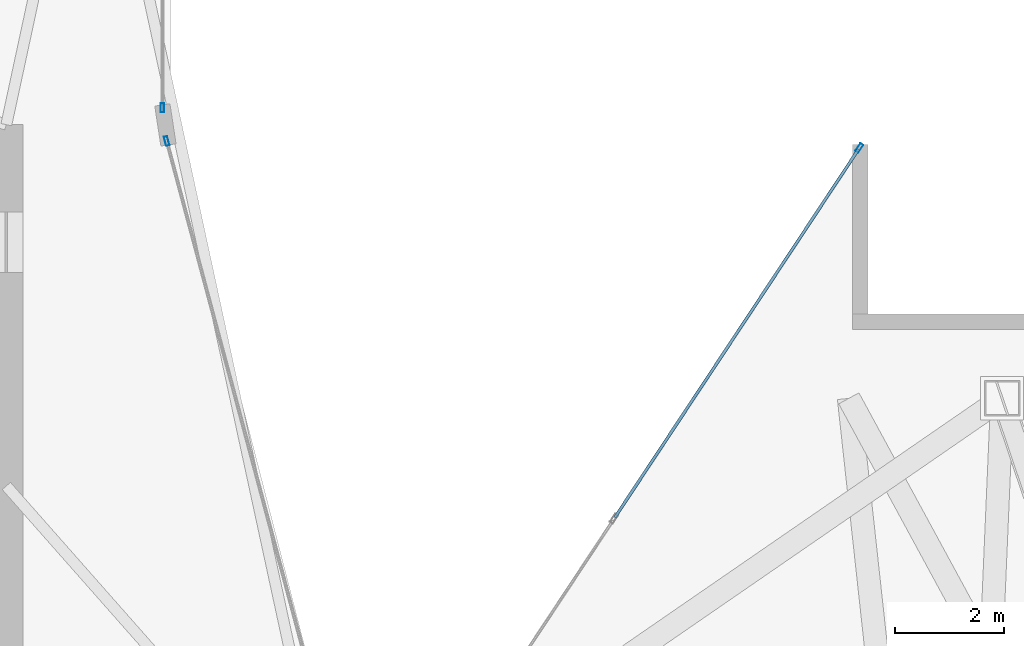
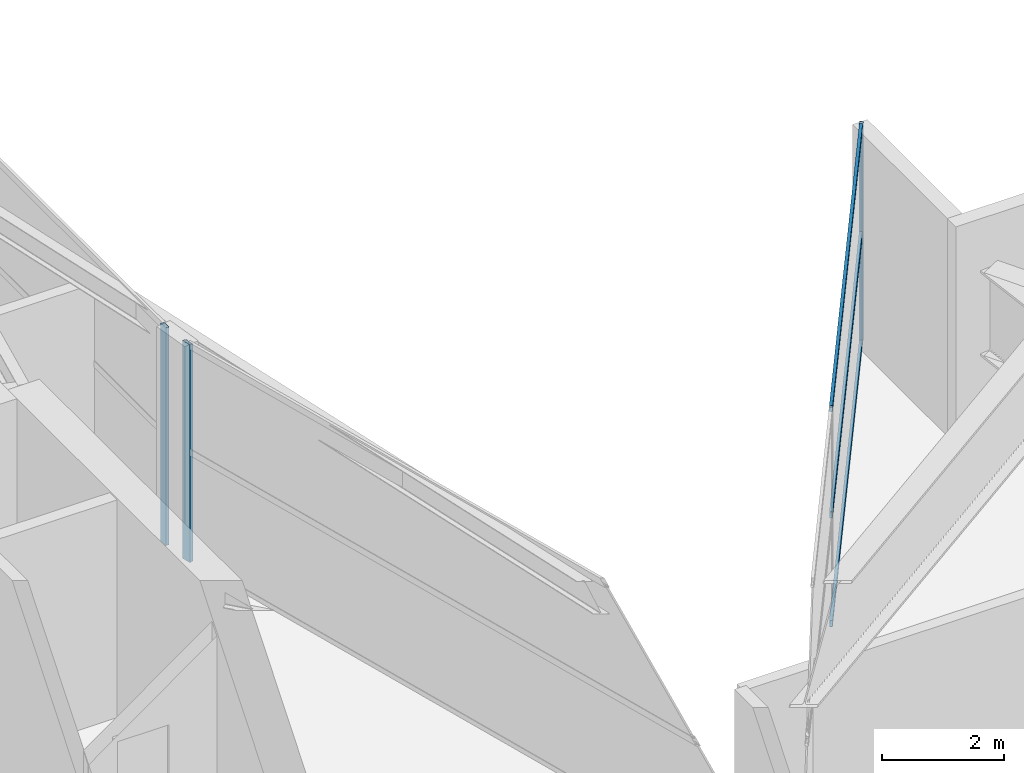
# One storey, part 6 of 15: 6 members, 3 elements without a shape of their own.
"""IFC4 building model written with IfcOpenShell, lengths in metres."""

import ifcopenshell
import ifcopenshell.guid

model = None  # the IFC model being written
_history = None  # IfcOwnerHistory: only IFC2X3 demands one
_inside = {}  # id of a spatial element -> (the spatial element, [elements in it])
_under = {}  # id of a project, library or spatial element -> (it, [spatial elements below it])
_declared = {}  # id of a project -> (the project, [libraries it declares])
_typed = {}  # id of a type object -> (the type object, [elements of that type])
_made_of = {}  # id of a material, layer set ... -> (it, [elements and type objects made of it])


def new_model(schema):
    """Start an empty IFC model of exactly this schema.

    Asked for "IFC4X3", IfcOpenShell would pick the latest addendum, in which some entities
    have other attributes; the version numbers below select the first issue.
    IFC2X3 requires an IfcOwnerHistory on every rooted entity: one is made here for all.
    """
    global model, _history
    if schema == "IFC4X3":
        model = ifcopenshell.file(schema_version=(4, 3, 0, 0))
    else:
        model = ifcopenshell.file(schema=schema)
    _inside.clear()
    _under.clear()
    _declared.clear()
    _typed.clear()
    _made_of.clear()
    _history = None
    if model.schema == "IFC2X3":
        org = make("IfcOrganization", Name="unknown")
        user = make(
            "IfcPersonAndOrganization",
            ThePerson=make("IfcPerson", FamilyName="unknown"),
            TheOrganization=org,
        )
        app = make(
            "IfcApplication",
            ApplicationDeveloper=org,
            Version="unknown",
            ApplicationFullName="unknown",
            ApplicationIdentifier="unknown",
        )
        _history = make(
            "IfcOwnerHistory",
            OwningUser=user,
            OwningApplication=app,
            ChangeAction="ADDED",
            CreationDate=0,
        )
    return model


def make(cls, **values):
    """One entity of the class cls with the attributes given. An attribute that is None is left unset."""
    return model.create_entity(
        cls, **{name: value for name, value in values.items() if value is not None}
    )


def rooted(cls, **values):
    """An entity with a GlobalId (a new one), such as an element, a storey or a relation."""
    return make(cls, GlobalId=ifcopenshell.guid.new(), OwnerHistory=_history, **values)


def si_unit(unit_type, name, prefix=None):
    """IfcSIUnit, for example si_unit("LENGTHUNIT", "METRE", prefix="MILLI")."""
    return make("IfcSIUnit", UnitType=unit_type, Prefix=prefix, Name=name)


def assignment(units):
    """IfcUnitAssignment: the units of a project."""
    return None if units is None else make("IfcUnitAssignment", Units=units)


def point(xyz):
    """IfcCartesianPoint."""
    return None if xyz is None else make("IfcCartesianPoint", Coordinates=xyz)


def direction(xyz):
    """IfcDirection."""
    return None if xyz is None else make("IfcDirection", DirectionRatios=xyz)


def frame(location, z_axis=None, x_axis=None):
    """IfcAxis2Placement3D, a coordinate frame: its origin and axes. An axis left out is left unset."""
    return make(
        "IfcAxis2Placement3D",
        Location=point(location),
        Axis=direction(z_axis),
        RefDirection=direction(x_axis),
    )


def frame_2d(location, x_axis=None):
    """IfcAxis2Placement2D, a coordinate frame in the plane: its origin and x axis."""
    return make(
        "IfcAxis2Placement2D", Location=point(location), RefDirection=direction(x_axis)
    )


def origin():
    """The frame at (0, 0, 0) with its axes left unset."""
    return frame((0.0, 0.0, 0.0))


def origin_2d():
    """The frame at (0, 0) in the plane with its x axis left unset."""
    return frame_2d((0.0, 0.0))


def place(relative_to, where):
    """IfcLocalPlacement: puts the frame where relative to a parent placement (None: the world)."""
    return make(
        "IfcLocalPlacement", PlacementRelTo=relative_to, RelativePlacement=where
    )


def context(
    kind, dimensions, precision=None, world=None, true_north=None, identifier=None
):
    """IfcGeometricRepresentationContext, for example the 3D "Model" context."""
    return make(
        "IfcGeometricRepresentationContext",
        ContextIdentifier=identifier,
        ContextType=kind,
        CoordinateSpaceDimension=dimensions,
        Precision=precision,
        WorldCoordinateSystem=world,
        TrueNorth=true_north,
    )


def subcontext(parent, identifier, kind, view, scale=None):
    """IfcGeometricRepresentationSubContext, for example "Body" below "Model"."""
    return make(
        "IfcGeometricRepresentationSubContext",
        ContextIdentifier=identifier,
        ContextType=kind,
        ParentContext=parent,
        TargetScale=scale,
        TargetView=view,
    )


def project(units=None, contexts=None):
    """IfcProject with its units and contexts."""
    return rooted(
        "IfcProject",
        Name="project",
        RepresentationContexts=contexts,
        UnitsInContext=assignment(units),
    )


def spatial(cls, under=None, at=None, **own):
    """A site, building, storey or space (cls), placed at a placement, below another one or the project."""
    s = rooted(cls, ObjectPlacement=at, **own)
    if under is not None:
        _under.setdefault(under.id(), (under, []))[1].append(s)
    return s


def profile(cls, at=None, kind="AREA", **sizes):
    """A parametric profile (cls). Its sizes go by their IFC names, for example OverallWidth=200.0."""
    return make(cls, ProfileType=kind, Position=at, **sizes)


def hollow_rectangle(**sizes):
    """IfcRectangleHollowProfileDef."""
    return profile("IfcRectangleHollowProfileDef", **sizes)


def extrude(swept, where, along, depth):
    """IfcExtrudedAreaSolid: the profile swept, set in the frame where, extruded along a direction by depth."""
    return make(
        "IfcExtrudedAreaSolid",
        SweptArea=swept,
        Position=where,
        ExtrudedDirection=direction(along),
        Depth=depth,
    )


def shape(context_of_items, identifier, shape_type, items):
    """IfcShapeRepresentation: the items that make up one representation, for example the "Body"."""
    return make(
        "IfcShapeRepresentation",
        ContextOfItems=context_of_items,
        RepresentationIdentifier=identifier,
        RepresentationType=shape_type,
        Items=items,
    )


def material(Name=None, Category=None):
    """IfcMaterial."""
    return make("IfcMaterial", Name=Name, Category=Category)


def layer(
    of_material, thickness, ventilated=None, Name=None, Category=None, Priority=None
):
    """IfcMaterialLayer: one layer of a wall or slab, of a material (None: an air gap)."""
    return make(
        "IfcMaterialLayer",
        Material=of_material,
        LayerThickness=thickness,
        IsVentilated=ventilated,
        Name=Name,
        Category=Category,
        Priority=Priority,
    )


def layer_set(layers, Name=None):
    """IfcMaterialLayerSet."""
    return make("IfcMaterialLayerSet", MaterialLayers=layers, LayerSetName=Name)


def material_profile(
    of_material, cross_section, Name=None, Category=None, Priority=None
):
    """IfcMaterialProfile: a cross section and its material."""
    return make(
        "IfcMaterialProfile",
        Name=Name,
        Material=of_material,
        Profile=cross_section,
        Priority=Priority,
        Category=Category,
    )


def profile_set(profiles, Name=None, composite=None):
    """IfcMaterialProfileSet."""
    return make(
        "IfcMaterialProfileSet",
        Name=Name,
        MaterialProfiles=profiles,
        CompositeProfile=composite,
    )


def made_of(thing, what):
    """Note that an element or type object is made of a material, layer set ...; save() writes the relation."""
    if what is not None:
        _made_of.setdefault(what.id(), (what, []))[1].append(thing)
    return thing


def type_object(cls, material=None, **own):
    """A type object (cls), such as IfcWallType, which elements share."""
    return made_of(rooted(cls, **own), material)


def element(
    cls,
    number,
    at=None,
    inside=None,
    cuts=None,
    type_object=None,
    material=None,
    context=None,
    identifier="Body",
    shape_type=None,
    held_by="IfcProductDefinitionShape",
    body=None,
    shapes=None,
    **own,
):
    """One element of the class cls, such as IfcWall. Its Tag is "e" and its number.

    at: its placement. inside: the storey or other place that contains it. cuts: it is an
    opening in that element (IfcRelVoidsElement). A single representation is given by context,
    identifier, shape_type and body (its items); several are given by shapes. held_by: the class
    of the entity that holds the representations. save() writes the other relations.
    """
    e = rooted(cls, Tag="e%d" % number, ObjectPlacement=at, **own)
    if body is not None:
        shapes = [shape(context, identifier, shape_type, body)]
    if shapes is not None:
        e.Representation = make(held_by, Representations=shapes)
    if inside is not None:
        _inside.setdefault(inside.id(), (inside, []))[1].append(e)
    if cuts is not None:
        rooted(
            "IfcRelVoidsElement", RelatingBuildingElement=cuts, RelatedOpeningElement=e
        )
    if type_object is not None:
        _typed.setdefault(type_object.id(), (type_object, []))[1].append(e)
    return made_of(e, material)


def aggregate(whole, parts):
    """IfcRelAggregates: a whole, such as a stair, and the parts it consists of."""
    return rooted("IfcRelAggregates", RelatingObject=whole, RelatedObjects=parts)


def save(model, path):
    """Write the relations noted so far, then the file.

    IfcRelAggregates (storeys below a building ...), IfcRelContainedInSpatialStructure (elements
    in a storey), IfcRelDefinesByType, IfcRelAssociatesMaterial and IfcRelDeclares: one each for
    every whole, place, type object, material and project.
    """
    for whole, parts in _under.values():
        aggregate(whole, parts)
    for where, things in _inside.values():
        rooted(
            "IfcRelContainedInSpatialStructure",
            RelatedElements=things,
            RelatingStructure=where,
        )
    for kind, things in _typed.values():
        rooted("IfcRelDefinesByType", RelatedObjects=things, RelatingType=kind)
    for what, things in _made_of.values():
        rooted("IfcRelAssociatesMaterial", RelatedObjects=things, RelatingMaterial=what)
    for by, libraries in _declared.values():
        rooted("IfcRelDeclares", RelatingContext=by, RelatedDefinitions=libraries)
    model.write(path)


model = new_model("IFC4")

# Units and contexts
model_context = context("Model", 3, precision=1e-05, world=origin(), true_north=direction((0.0, 1.0)))
body_context = subcontext(model_context, "Body", "Model", "MODEL_VIEW")
ifc_project = project(units=[si_unit("LENGTHUNIT", "METRE"), si_unit("AREAUNIT", "SQUARE_METRE"), si_unit("VOLUMEUNIT", "CUBIC_METRE"), si_unit("PLANEANGLEUNIT", "RADIAN"), si_unit("MASSUNIT", "GRAM", prefix="KILO")], contexts=[model_context])

# Site, building, storey
site_placement = place(None, origin())
site = spatial("IfcSite", under=ifc_project, at=site_placement, CompositionType="ELEMENT")
building_placement = place(site_placement, origin())
building = spatial("IfcBuilding", under=site, at=building_placement, Name="Calvorn Quay Hotel", CompositionType="ELEMENT")
storey_placement = place(building_placement, frame((0.0, 0.0, 282.5)))
storey = spatial("IfcBuildingStorey", under=building, at=storey_placement, Name="L70", CompositionType="ELEMENT", Elevation=282.5)

# Curtain wall, member
ifc_material_1 = material(Name="Champagne Bronze Anodised Aluminium and Low-E Glass", Category="aluminium")
ifc_layer = layer(ifc_material_1, 0.219970703125)
ifc_layer_set = layer_set([ifc_layer], Name="CW-SYS-Z4")
curtain_wall_type = type_object("IfcCurtainWallType", Name="CW-SYS-Z4", PredefinedType="NOTDEFINED", material=ifc_layer_set)
curtain_wall_1_placement = place(storey_placement, origin())
curtain_wall_1 = element("IfcCurtainWall", 1, at=curtain_wall_1_placement, inside=storey, type_object=curtain_wall_type, Name="Inner Court Curtain Wall L70-NE1", PredefinedType="NOTDEFINED")
ifc_material_2 = material(Name="Champagne Bronze Anodised Aluminium 6063-T6", Category="aluminium")
ifc_material_profile_1 = material_profile(ifc_material_2, hollow_rectangle(XDim=0.06494140625, YDim=0.169921875, WallThickness=0.00341796875, at=origin_2d()), Name="ALU-M170x65x3.5")
ifc_profile_set_1 = profile_set([ifc_material_profile_1], Name="Champagne Bronze Anodised Aluminium 6063-T6")
member_type_1 = type_object("IfcMemberType", Name="CW-SYS-Z4-MUL", PredefinedType="MULLION", material=ifc_profile_set_1)
member_1_placement = place(storey_placement, frame((30.58349609375, 37.97509765625, 0.0), z_axis=(0.0, 0.0, 1.0), x_axis=(0.833932205724, -0.551866900852, 0.0)))
member_1 = element("IfcMember", 2, at=member_1_placement, type_object=member_type_1, Name="CW-L70-NE1 mullion 1", PredefinedType="MULLION", context=body_context, shape_type="SweptSolid", body=[
    extrude(hollow_rectangle(XDim=0.06494140625, YDim=0.169921875, WallThickness=0.00341796875, at=origin_2d()), origin(), (0.0, 0.0, 1.0), 4.35009765625),
])

curtain_wall_2_placement = place(storey_placement, origin())
curtain_wall_2 = element("IfcCurtainWall", 3, at=curtain_wall_2_placement, inside=storey, type_object=curtain_wall_type, Name="Inner Court Curtain Wall L70-IC1", PredefinedType="NOTDEFINED")
member_2_placement = place(storey_placement, frame((17.9296875, 38.10107421875, 0.0), z_axis=(0.0, 0.0, 1.0), x_axis=(-0.96593652056, -0.25877913024, 0.0)))
member_2 = element("IfcMember", 4, at=member_2_placement, type_object=member_type_1, Name="CW-L70-IC1 mullion 2", PredefinedType="MULLION", context=body_context, shape_type="SweptSolid", body=[
    extrude(hollow_rectangle(XDim=0.06494140625, YDim=0.169921875, WallThickness=0.00341796875, at=origin_2d()), origin(), (0.0, 0.0, 1.0), 4.35009765625),
])
aggregate(curtain_wall_2, [member_2])

curtain_wall_3_placement = place(storey_placement, origin())
curtain_wall_3 = element("IfcCurtainWall", 5, at=curtain_wall_3_placement, inside=storey, type_object=curtain_wall_type, Name="Inner Court Curtain Wall L70-IC2", PredefinedType="NOTDEFINED")
member_3_placement = place(storey_placement, frame((17.85009765625, 38.7099609375, 0.0), z_axis=(0.0, 0.0, 1.0), x_axis=(-1.0, 0.0, 0.0)))
member_3 = element("IfcMember", 6, at=member_3_placement, type_object=member_type_1, Name="CW-L70-IC2 mullion 1", PredefinedType="MULLION", context=body_context, shape_type="SweptSolid", body=[
    extrude(hollow_rectangle(XDim=0.06494140625, YDim=0.169921875, WallThickness=0.00341796875, at=origin_2d()), origin(), (0.0, 0.0, 1.0), 4.35009765625),
])
aggregate(curtain_wall_3, [member_3])

# Member
ifc_material_3 = material(Name="Champagne Bronze Anodised Aluminium 6063-T6", Category="aluminium")
ifc_material_profile_2 = material_profile(ifc_material_3, hollow_rectangle(XDim=0.054931640625, YDim=0.1298828125, WallThickness=0.003173828125, at=origin_2d()), Name="ALU-T130x55x3.2")
ifc_profile_set_2 = profile_set([ifc_material_profile_2], Name="Champagne Bronze Anodised Aluminium 6063-T6")
member_type_2 = type_object("IfcMemberType", Name="CW-SYS-Z4-TRN", PredefinedType="USERDEFINED", material=ifc_profile_set_2)
member_4_placement = place(storey_placement, frame((30.56689453125, 37.949951171875, 0.030029296875), z_axis=(-0.551881453123, -0.833922575362, 0.0), x_axis=(0.833922575362, -0.551881453123, 0.0)))
member_4 = element("IfcMember", 7, at=member_4_placement, type_object=member_type_2, Name="CW-L70-NE1 transom 1.1", ObjectType="TRANSOM", PredefinedType="USERDEFINED", context=body_context, shape_type="SweptSolid", body=[
    extrude(hollow_rectangle(XDim=0.054931640625, YDim=0.1298828125, WallThickness=0.003173828125, at=origin_2d()), origin(), (0.0, 0.0, 1.0), 8.064208984375),
])

member_5_placement = place(storey_placement, frame((30.56689453125, 37.949951171875, 2.199951171875), z_axis=(-0.551881453123, -0.833922575362, 0.0), x_axis=(0.833922575362, -0.551881453123, 0.0)))
member_5 = element("IfcMember", 8, at=member_5_placement, type_object=member_type_2, Name="CW-L70-NE1 transom 1.2", ObjectType="TRANSOM", PredefinedType="USERDEFINED", context=body_context, shape_type="SweptSolid", body=[
    extrude(hollow_rectangle(XDim=0.054931640625, YDim=0.1298828125, WallThickness=0.003173828125, at=origin_2d()), origin(), (0.0, 0.0, 1.0), 8.064208984375),
])

member_6_placement = place(storey_placement, frame((30.56689453125, 37.949951171875, 4.320068359375), z_axis=(-0.551881453123, -0.833922575362, 0.0), x_axis=(0.833922575362, -0.551881453123, 0.0)))
member_6 = element("IfcMember", 9, at=member_6_placement, type_object=member_type_2, Name="CW-L70-NE1 transom 1.3", ObjectType="TRANSOM", PredefinedType="USERDEFINED", context=body_context, shape_type="SweptSolid", body=[
    extrude(hollow_rectangle(XDim=0.054931640625, YDim=0.1298828125, WallThickness=0.003173828125, at=origin_2d()), origin(), (0.0, 0.0, 1.0), 8.064208984375),
])

aggregate(curtain_wall_1, [member_1, member_4, member_5, member_6])

save(model, "model.ifc")
